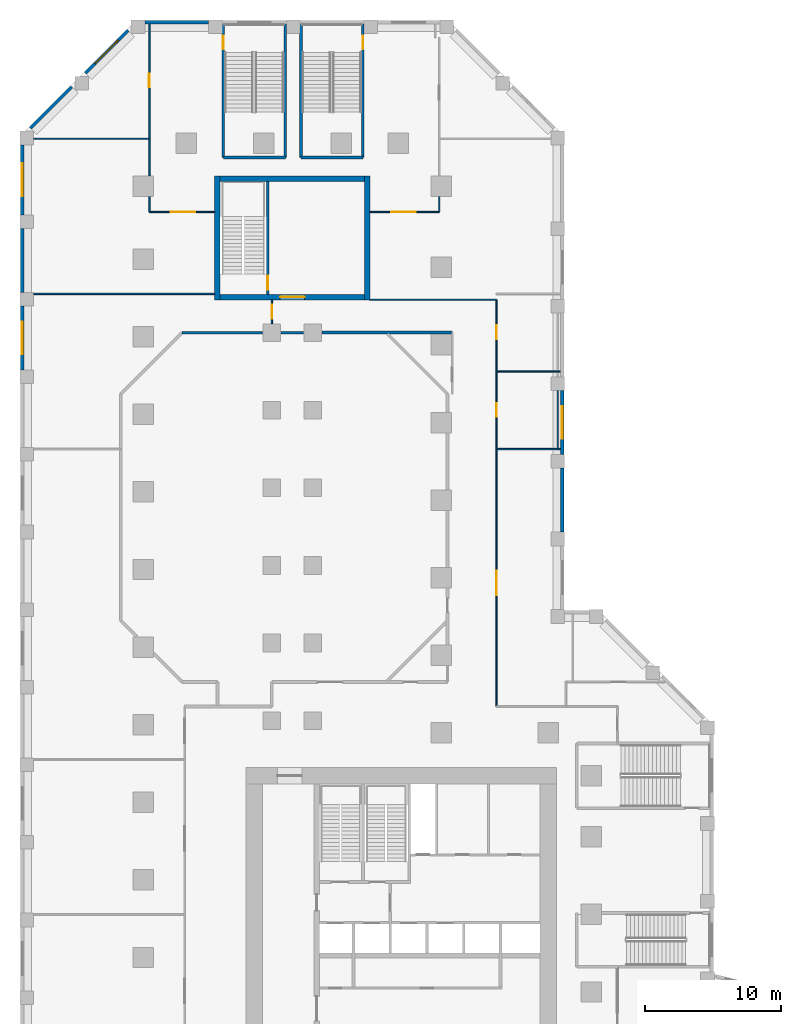
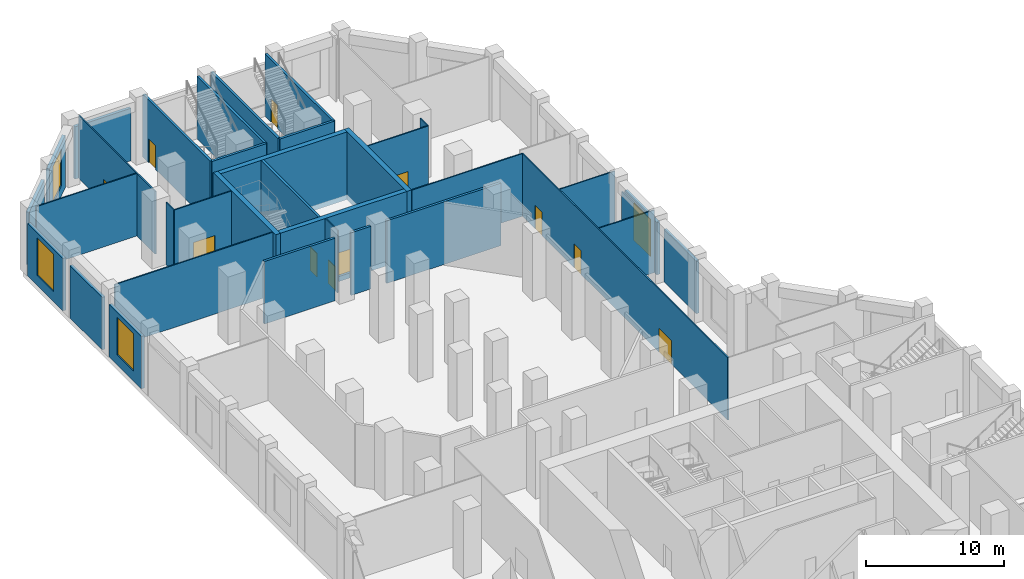
# One storey, part 9 of 15: 35 walls, 11 doors, 4 windows, 15 openings.
"""IFC4 building model written with IfcOpenShell, lengths in metres."""

from ifc_helpers import new_model, si_unit, direction, frame, frame_2d, origin, place, context, subcontext, project, spatial, rectangle, extrude, material, layer, layer_set, type_object, element, fill, save


model = new_model("IFC4")

# Units and contexts
model_context = context("Model", 3, precision=1e-05, world=origin(), true_north=direction((0.0, 1.0)))
body_context = subcontext(model_context, "Body", "Model", "MODEL_VIEW")
ifc_project = project(units=[si_unit("LENGTHUNIT", "METRE"), si_unit("AREAUNIT", "SQUARE_METRE"), si_unit("VOLUMEUNIT", "CUBIC_METRE"), si_unit("PLANEANGLEUNIT", "RADIAN"), si_unit("MASSUNIT", "GRAM", prefix="KILO")], contexts=[model_context])

# Site, building, storey
site_placement = place(None, origin())
site = spatial("IfcSite", under=ifc_project, at=site_placement, CompositionType="ELEMENT")
building_placement = place(site_placement, origin())
building = spatial("IfcBuilding", under=site, at=building_placement, Name="Meshkara Civic Tower", CompositionType="ELEMENT")
storey_placement = place(building_placement, frame((0.0, 0.0, 12.60009765625)))
storey = spatial("IfcBuildingStorey", under=building, at=storey_placement, Name="L02", CompositionType="ELEMENT", Elevation=12.60009765625)

# Wall, opening, door
ifc_material_1 = material(Name="Corridor wall 100")
ifc_layer_1 = layer(ifc_material_1, 0.10009765625)
ifc_layer_set_1 = layer_set([ifc_layer_1], Name="Corridor wall 100")
wall_type_1 = type_object("IfcWallType", Name="Corridor wall 100", PredefinedType="PARTITIONING", material=ifc_layer_set_1)
wall_1_placement = place(storey_placement, frame((0.89990234375, 77.719970703125, 0.0), z_axis=(0.0, 0.0, 1.0), x_axis=(1.0, 0.0, 0.0)))
wall_1 = element("IfcWall", 1, at=wall_1_placement, inside=storey, type_object=wall_type_1, Name="L02-R002", PredefinedType="PARTITIONING", context=body_context, shape_type="SweptSolid", body=[
    extrude(rectangle(XDim=4.800048828125, YDim=0.10009765625, at=frame_2d((2.39990234375, 0.0))), origin(), (0.0, 0.0, 1.0), 5.5498046875),
])
opening_1_placement = place(wall_1_placement, frame((1.580078125, 0.0, 0.0)))
opening_1 = element("IfcOpeningElement", 2, at=opening_1_placement, cuts=wall_1, Name="Opening L02-P037", PredefinedType="OPENING", context=body_context, shape_type="SweptSolid", body=[
    extrude(rectangle(XDim=1.800048828125, YDim=2.10009765625, at=frame_2d((0.89990234375, 1.050048828125))), frame((0.0, 0.06005859375, 0.0), z_axis=(0.0, -1.0, 0.0), x_axis=(1.0, 0.0, 0.0)), (0.0, 0.0, 1.0), 0.1201171875),
])
ifc_material_2 = material(Name="Door pair 1800 x 2100")
door_type_1 = type_object("IfcDoorType", Name="Door pair 1800 x 2100", OperationType="SINGLE_SWING_LEFT", PredefinedType="DOOR", material=ifc_material_2)
door_1_placement = place(opening_1_placement, origin())
door_1 = element("IfcDoor", 3, at=door_1_placement, inside=storey, type_object=door_type_1, Name="L02-P037", OperationType="DOUBLE_DOOR_SINGLE_SWING", OverallHeight=2.10009765625, OverallWidth=1.800048828125, PredefinedType="DOOR", context=body_context, shape_type="SweptSolid", body=[
    extrude(rectangle(XDim=1.800048828125, YDim=2.10009765625, at=frame_2d((0.89990234375, 1.050048828125))), frame((0.0, 0.02490234375, 0.0), z_axis=(0.0, -1.0, 0.0), x_axis=(1.0, 0.0, 0.0)), (0.0, 0.0, 1.0), 0.050048828125),
])
fill(opening_1, door_1)

# Wall
wall_2_placement = place(storey_placement, frame((0.89990234375, 78.843994140625, 0.0), z_axis=(0.0, 0.0, 1.0), x_axis=(0.0, -1.0, 0.0)))
element("IfcWall", 4, at=wall_2_placement, inside=storey, type_object=wall_type_1, Name="L02-R003", PredefinedType="PARTITIONING", context=body_context, shape_type="SweptSolid", body=[
    extrude(rectangle(XDim=1.1240234375, YDim=0.10009765625, at=frame_2d((0.56201171875, 0.0))), origin(), (0.0, 0.0, 1.0), 5.5498046875),
])

# Wall, opening, door
wall_3_placement = place(storey_placement, frame((0.89990234375, 91.52001953125, 0.0), z_axis=(0.0, 0.0, 1.0), x_axis=(0.0, -1.0, 0.0)))
wall_3 = element("IfcWall", 5, at=wall_3_placement, inside=storey, type_object=wall_type_1, Name="L02-R004", PredefinedType="PARTITIONING", context=body_context, shape_type="SweptSolid", body=[
    extrude(rectangle(XDim=11.135986328125, YDim=0.10009765625, at=frame_2d((5.56787109375, 0.0))), origin(), (0.0, 0.0, 1.0), 5.5498046875),
])
opening_2_placement = place(wall_3_placement, frame((3.6298828125, 0.0, 0.0)))
opening_2 = element("IfcOpeningElement", 6, at=opening_2_placement, cuts=wall_3, Name="Opening L02-P039", PredefinedType="OPENING", context=body_context, shape_type="SweptSolid", body=[
    extrude(rectangle(XDim=1.0, YDim=2.10009765625, at=frame_2d((0.5, 1.050048828125))), frame((0.0, 0.06005859375, 0.0), z_axis=(0.0, -1.0, 0.0), x_axis=(1.0, 0.0, 0.0)), (0.0, 0.0, 1.0), 0.1201171875),
])
ifc_material_3 = material(Name="Door 1000 x 2100")
door_type_2 = type_object("IfcDoorType", Name="Door 1000 x 2100", OperationType="SINGLE_SWING_LEFT", PredefinedType="DOOR", material=ifc_material_3)
door_2_placement = place(opening_2_placement, origin())
door_2 = element("IfcDoor", 7, at=door_2_placement, inside=storey, type_object=door_type_2, Name="L02-P039", OperationType="SINGLE_SWING_RIGHT", OverallHeight=2.10009765625, OverallWidth=1.0, PredefinedType="DOOR", context=body_context, shape_type="SweptSolid", body=[
    extrude(rectangle(XDim=1.0, YDim=2.10009765625, at=frame_2d((0.5, 1.050048828125))), frame((0.0, 0.02490234375, 0.0), z_axis=(0.0, -1.0, 0.0), x_axis=(1.0, 0.0, 0.0)), (0.0, 0.0, 1.0), 0.050048828125),
])
fill(opening_2, door_2)

wall_4_placement = place(storey_placement, frame((9.89990234375, 71.27001953125, 0.0), z_axis=(0.0, 0.0, 1.0), x_axis=(0.0, -1.0, 0.0)))
wall_4 = element("IfcWall", 8, at=wall_4_placement, inside=storey, type_object=wall_type_1, Name="L02-R014", PredefinedType="PARTITIONING", context=body_context, shape_type="SweptSolid", body=[
    extrude(rectangle(XDim=1.75, YDim=0.10009765625, at=frame_2d((0.875, 0.0))), origin(), (0.0, 0.0, 1.0), 5.5498046875),
])
opening_3_placement = place(wall_4_placement, frame((0.3798828125, 0.0, 0.0)))
opening_3 = element("IfcOpeningElement", 9, at=opening_3_placement, cuts=wall_4, Name="Opening L02-P035", PredefinedType="OPENING", context=body_context, shape_type="SweptSolid", body=[
    extrude(rectangle(XDim=1.0, YDim=2.10009765625, at=frame_2d((0.5, 1.050048828125))), frame((0.0, 0.06005859375, 0.0), z_axis=(0.0, -1.0, 0.0), x_axis=(1.0, 0.0, 0.0)), (0.0, 0.0, 1.0), 0.1201171875),
])
door_3_placement = place(opening_3_placement, origin())
door_3 = element("IfcDoor", 10, at=door_3_placement, inside=storey, type_object=door_type_2, Name="L02-P035", OperationType="SINGLE_SWING_RIGHT", OverallHeight=2.10009765625, OverallWidth=1.0, PredefinedType="DOOR", context=body_context, shape_type="SweptSolid", body=[
    extrude(rectangle(XDim=1.0, YDim=2.10009765625, at=frame_2d((0.5, 1.050048828125))), frame((0.0, 0.02490234375, 0.0), z_axis=(0.0, -1.0, 0.0), x_axis=(1.0, 0.0, 0.0)), (0.0, 0.0, 1.0), 0.050048828125),
])
fill(opening_3, door_3)

wall_5_placement = place(storey_placement, frame((17.10009765625, 77.719970703125, 0.0), z_axis=(0.0, 0.0, 1.0), x_axis=(1.0, 0.0, 0.0)))
wall_5 = element("IfcWall", 11, at=wall_5_placement, inside=storey, type_object=wall_type_1, Name="L02-R024", PredefinedType="PARTITIONING", context=body_context, shape_type="SweptSolid", body=[
    extrude(rectangle(XDim=5.099853515625, YDim=0.10009765625, at=frame_2d((2.5498046875, 0.0))), origin(), (0.0, 0.0, 1.0), 5.5498046875),
])
opening_4_placement = place(wall_5_placement, frame((1.580078125, 0.0, 0.0)))
opening_4 = element("IfcOpeningElement", 12, at=opening_4_placement, cuts=wall_5, Name="Opening L02-P038", PredefinedType="OPENING", context=body_context, shape_type="SweptSolid", body=[
    extrude(rectangle(XDim=1.800048828125, YDim=2.10009765625, at=frame_2d((0.89990234375, 1.050048828125))), frame((0.0, 0.06005859375, 0.0), z_axis=(0.0, -1.0, 0.0), x_axis=(1.0, 0.0, 0.0)), (0.0, 0.0, 1.0), 0.1201171875),
])
door_4_placement = place(opening_4_placement, origin())
door_4 = element("IfcDoor", 13, at=door_4_placement, inside=storey, type_object=door_type_1, Name="L02-P038", OperationType="DOUBLE_DOOR_SINGLE_SWING", OverallHeight=2.10009765625, OverallWidth=1.800048828125, PredefinedType="DOOR", context=body_context, shape_type="SweptSolid", body=[
    extrude(rectangle(XDim=1.800048828125, YDim=2.10009765625, at=frame_2d((0.89990234375, 1.050048828125))), frame((0.0, 0.02490234375, 0.0), z_axis=(0.0, -1.0, 0.0), x_axis=(1.0, 0.0, 0.0)), (0.0, 0.0, 1.0), 0.050048828125),
])
fill(opening_4, door_4)

# Wall
wall_6_placement = place(storey_placement, frame((22.199951171875, 77.719970703125, 0.0), z_axis=(0.0, 0.0, 1.0), x_axis=(0.0, 1.0, 0.0)))
element("IfcWall", 14, at=wall_6_placement, inside=storey, type_object=wall_type_1, Name="L02-R027", PredefinedType="PARTITIONING", context=body_context, shape_type="SweptSolid", body=[
    extrude(rectangle(XDim=1.1240234375, YDim=0.10009765625, at=frame_2d((0.56201171875, 0.0))), origin(), (0.0, 0.0, 1.0), 5.5498046875),
])

# Wall, openings, doors
wall_7_placement = place(storey_placement, frame((26.39990234375, 41.39990234375, 0.0), z_axis=(0.0, 0.0, 1.0), x_axis=(0.0, 1.0, 0.0)))
wall_7 = element("IfcWall", 15, at=wall_7_placement, inside=storey, type_object=wall_type_1, Name="L02-R036", PredefinedType="PARTITIONING", context=body_context, shape_type="SweptSolid", body=[
    extrude(rectangle(XDim=29.8701171875, YDim=0.10009765625, at=frame_2d((14.93505859375, 0.0))), origin(), (0.0, 0.0, 1.0), 5.5498046875),
])
opening_5_placement = place(wall_7_placement, frame((8.179931640625, 0.0, 0.0)))
opening_5 = element("IfcOpeningElement", 16, at=opening_5_placement, cuts=wall_7, Name="Opening L02-P032", PredefinedType="OPENING", context=body_context, shape_type="SweptSolid", body=[
    extrude(rectangle(XDim=1.800048828125, YDim=2.10009765625, at=frame_2d((0.89990234375, 1.050048828125))), frame((0.0, 0.06005859375, 0.0), z_axis=(0.0, -1.0, 0.0), x_axis=(1.0, 0.0, 0.0)), (0.0, 0.0, 1.0), 0.1201171875),
])
opening_6_placement = place(wall_7_placement, frame((21.280029296875, 0.0, 0.0)))
opening_6 = element("IfcOpeningElement", 17, at=opening_6_placement, cuts=wall_7, Name="Opening L02-P034", PredefinedType="OPENING", context=body_context, shape_type="SweptSolid", body=[
    extrude(rectangle(XDim=1.0, YDim=2.10009765625, at=frame_2d((0.5, 1.050048828125))), frame((0.0, 0.06005859375, 0.0), z_axis=(0.0, -1.0, 0.0), x_axis=(1.0, 0.0, 0.0)), (0.0, 0.0, 1.0), 0.1201171875),
])
opening_7_placement = place(wall_7_placement, frame((26.97998046875, 0.0, 0.0)))
opening_7 = element("IfcOpeningElement", 18, at=opening_7_placement, cuts=wall_7, Name="Opening L02-P036", PredefinedType="OPENING", context=body_context, shape_type="SweptSolid", body=[
    extrude(rectangle(XDim=1.0, YDim=2.10009765625, at=frame_2d((0.5, 1.050048828125))), frame((0.0, 0.06005859375, 0.0), z_axis=(0.0, -1.0, 0.0), x_axis=(1.0, 0.0, 0.0)), (0.0, 0.0, 1.0), 0.1201171875),
])
door_5_placement = place(opening_6_placement, origin())
door_5 = element("IfcDoor", 19, at=door_5_placement, inside=storey, type_object=door_type_2, Name="L02-P034", OperationType="SINGLE_SWING_LEFT", OverallHeight=2.10009765625, OverallWidth=1.0, PredefinedType="DOOR", context=body_context, shape_type="SweptSolid", body=[
    extrude(rectangle(XDim=1.0, YDim=2.10009765625, at=frame_2d((0.5, 1.050048828125))), frame((0.0, 0.02490234375, 0.0), z_axis=(0.0, -1.0, 0.0), x_axis=(1.0, 0.0, 0.0)), (0.0, 0.0, 1.0), 0.050048828125),
])
fill(opening_6, door_5)
door_6_placement = place(opening_7_placement, origin())
door_6 = element("IfcDoor", 20, at=door_6_placement, inside=storey, type_object=door_type_2, Name="L02-P036", OperationType="SINGLE_SWING_RIGHT", OverallHeight=2.10009765625, OverallWidth=1.0, PredefinedType="DOOR", context=body_context, shape_type="SweptSolid", body=[
    extrude(rectangle(XDim=1.0, YDim=2.10009765625, at=frame_2d((0.5, 1.050048828125))), frame((0.0, 0.02490234375, 0.0), z_axis=(0.0, -1.0, 0.0), x_axis=(1.0, 0.0, 0.0)), (0.0, 0.0, 1.0), 0.050048828125),
])
fill(opening_7, door_6)
door_7_placement = place(opening_5_placement, origin())
door_7 = element("IfcDoor", 21, at=door_7_placement, inside=storey, type_object=door_type_1, Name="L02-P032", OperationType="DOUBLE_DOOR_SINGLE_SWING", OverallHeight=2.10009765625, OverallWidth=1.800048828125, PredefinedType="DOOR", context=body_context, shape_type="SweptSolid", body=[
    extrude(rectangle(XDim=1.800048828125, YDim=2.10009765625, at=frame_2d((0.89990234375, 1.050048828125))), frame((0.0, 0.02490234375, 0.0), z_axis=(0.0, -1.0, 0.0), x_axis=(1.0, 0.0, 0.0)), (0.0, 0.0, 1.0), 0.050048828125),
])
fill(opening_5, door_7)

# Walls
wall_8_placement = place(storey_placement, frame((26.39990234375, 71.27001953125, 0.0), z_axis=(0.0, 0.0, 1.0), x_axis=(-1.0, 0.0, 0.0)))
element("IfcWall", 22, at=wall_8_placement, inside=storey, type_object=wall_type_1, Name="L02-R038", PredefinedType="PARTITIONING", context=body_context, shape_type="SweptSolid", body=[
    extrude(rectangle(XDim=9.2998046875, YDim=0.10009765625, at=frame_2d((4.64990234375, 0.0))), origin(), (0.0, 0.0, 1.0), 5.5498046875),
])
ifc_material_4 = material(Name="Concrete C80", Category="concrete")
ifc_layer_2 = layer(ifc_material_4, 0.39990234375)
ifc_layer_set_2 = layer_set([ifc_layer_2], Name="End core ring wall 400 C80")
wall_type_2 = type_object("IfcWallType", Name="End core ring wall 400 C80", PredefinedType="SHEAR", material=ifc_layer_set_2)
for number, where, z_axis, x_axis, name in (
    (23, (5.89990234375, 71.27001953125, -0.4501953125), (0.0, 0.0, 1.0), (0.0, 1.0, 0.0), "L02-C026"),
    (24, (16.89990234375, 71.27001953125, -0.4501953125), (0.0, 0.0, 1.0), (0.0, 1.0, 0.0), "L02-C027"),
):
    element("IfcWall", number, at=place(storey_placement, frame(where, z_axis=z_axis, x_axis=x_axis)), inside=storey, type_object=wall_type_2, Name=name, PredefinedType="SHEAR", context=body_context, shape_type="SweptSolid", body=[
        extrude(rectangle(XDim=9.10009765625, YDim=0.39990234375, at=frame_2d((4.550048828125, 0.0))), origin(), (0.0, 0.0, 1.0), 6.0),
    ])

# Wall, opening, door
wall_9_placement = place(storey_placement, frame((6.10009765625, 71.469970703125, -0.4501953125), z_axis=(0.0, 0.0, 1.0), x_axis=(1.0, 0.0, 0.0)))
wall_9 = element("IfcWall", 25, at=wall_9_placement, inside=storey, type_object=wall_type_2, Name="L02-C028", PredefinedType="SHEAR", context=body_context, shape_type="SweptSolid", body=[
    extrude(rectangle(XDim=10.599853515625, YDim=0.39990234375, at=frame_2d((5.2998046875, 0.0))), origin(), (0.0, 0.0, 1.0), 6.0),
])
opening_8_placement = place(wall_9_placement, frame((4.39990234375, 0.0, 0.449951171875)))
opening_8 = element("IfcOpeningElement", 26, at=opening_8_placement, cuts=wall_9, Name="Opening L02-K102", PredefinedType="OPENING", context=body_context, shape_type="SweptSolid", body=[
    extrude(rectangle(XDim=1.800048828125, YDim=2.10009765625, at=frame_2d((0.89990234375, 1.050048828125))), frame((0.0, 0.2099609375, 0.0), z_axis=(0.0, -1.0, 0.0), x_axis=(1.0, 0.0, 0.0)), (0.0, 0.0, 1.0), 0.419921875),
])
ifc_material_5 = material(Name="Fire-rated door leaf in steel frame", Category="steel")
door_type_3 = type_object("IfcDoorType", Name="Core double door 1800 EI 60", OperationType="DOUBLE_DOOR_SINGLE_SWING", PredefinedType="DOOR", material=ifc_material_5)
door_8_placement = place(opening_8_placement, origin())
door_8 = element("IfcDoor", 27, at=door_8_placement, inside=storey, type_object=door_type_3, Name="L02-K102", OperationType="DOUBLE_DOOR_SINGLE_SWING", OverallHeight=2.10009765625, OverallWidth=1.800048828125, PredefinedType="DOOR", context=body_context, shape_type="SweptSolid", body=[
    extrude(rectangle(XDim=1.800048828125, YDim=2.10009765625, at=frame_2d((0.89990234375, 1.050048828125))), frame((0.0, 0.02490234375, 0.0), z_axis=(0.0, -1.0, 0.0), x_axis=(1.0, 0.0, 0.0)), (0.0, 0.0, 1.0), 0.050048828125),
])
fill(opening_8, door_8)

# Walls
wall_10_placement = place(storey_placement, frame((6.10009765625, 80.169921875, -0.4501953125), z_axis=(0.0, 0.0, 1.0), x_axis=(1.0, 0.0, 0.0)))
element("IfcWall", 28, at=wall_10_placement, inside=storey, type_object=wall_type_2, Name="L02-C029", PredefinedType="SHEAR", context=body_context, shape_type="SweptSolid", body=[
    extrude(rectangle(XDim=10.599853515625, YDim=0.39990234375, at=frame_2d((5.2998046875, 0.0))), origin(), (0.0, 0.0, 1.0), 6.0),
])
ifc_material_6 = material(Name="Fire-rated wall 200")
ifc_layer_3 = layer(ifc_material_6, 0.199951171875)
ifc_layer_set_3 = layer_set([ifc_layer_3], Name="Fire-rated wall 200")
wall_type_3 = type_object("IfcWallType", Name="Fire-rated wall 200", PredefinedType="PARTITIONING", material=ifc_layer_set_3)
wall_11_placement = place(storey_placement, frame((10.570068359375, 68.85009765625, 0.0), z_axis=(0.0, 0.0, 1.0), x_axis=(1.0, 0.0, 0.0)))
element("IfcWall", 29, at=wall_11_placement, inside=storey, type_object=wall_type_3, Name="L02-R015", PredefinedType="PARTITIONING", context=body_context, shape_type="SweptSolid", body=[
    extrude(rectangle(XDim=1.659912109375, YDim=0.199951171875, at=frame_2d((0.830078125, 0.0))), origin(), (0.0, 0.0, 1.0), 5.5498046875),
])
wall_12_placement = place(storey_placement, frame((13.570068359375, 68.8701171875, 0.0), z_axis=(0.0, 0.0, 1.0), x_axis=(1.0, 0.0, 0.0)))
element("IfcWall", 30, at=wall_12_placement, inside=storey, type_object=wall_type_3, Name="L02-R021", PredefinedType="PARTITIONING", context=body_context, shape_type="SweptSolid", body=[
    extrude(rectangle(XDim=9.579833984375, YDim=0.199951171875, at=frame_2d((4.7900390625, 0.0))), origin(), (0.0, 0.0, 1.0), 5.5498046875),
])
wall_13_placement = place(storey_placement, frame((9.22998046875, 68.85009765625, 0.0), z_axis=(0.0, 0.0, 1.0), x_axis=(-1.0, 0.0, 0.0)))
element("IfcWall", 31, at=wall_13_placement, inside=storey, type_object=wall_type_3, Name="L02-R090", PredefinedType="PARTITIONING", context=body_context, shape_type="SweptSolid", body=[
    extrude(rectangle(XDim=5.929931640625, YDim=0.199951171875, at=frame_2d((2.96484375, 0.0))), origin(), (0.0, 0.0, 1.0), 5.5498046875),
])
ifc_material_7 = material(Name="Stone cladding on insulated backing wall", Category="masonry")
ifc_layer_4 = layer(ifc_material_7, 0.25)
ifc_layer_set_4 = layer_set([ifc_layer_4], Name="PODIUM STONE WALL 250")
wall_type_4 = type_object("IfcWallType", Name="PODIUM STONE WALL 250", PredefinedType="SOLIDWALL", material=ifc_layer_set_4)
wall_14_placement = place(storey_placement, frame((5.263916015625, 91.64501953125, 0.0), z_axis=(0.0, 0.0, 1.0), x_axis=(-1.0, 0.0, 0.0)))
element("IfcWall", 32, at=wall_14_placement, inside=storey, type_object=wall_type_4, Name="Podium external wall", PredefinedType="SOLIDWALL", context=body_context, shape_type="SweptSolid", body=[
    extrude(rectangle(XDim=4.699951171875, YDim=0.25, at=frame_2d((2.35009765625, 0.0))), origin(), (0.0, 0.0, 1.0), 4.64990234375),
])

# Wall, opening, window
wall_15_placement = place(storey_placement, frame((-0.666015625, 91.050048828125, 0.0), z_axis=(0.0, 0.0, 1.0), x_axis=(-0.707106781187, -0.707106781187, 0.0)))
wall_15 = element("IfcWall", 33, at=wall_15_placement, inside=storey, type_object=wall_type_4, Name="Podium external wall", PredefinedType="SOLIDWALL", context=body_context, shape_type="SweptSolid", body=[
    extrude(rectangle(XDim=4.430908203125, YDim=0.25, at=frame_2d((2.21533203125, 0.0))), origin(), (0.0, 0.0, 1.0), 4.64990234375),
])
opening_9_placement = place(wall_15_placement, frame((1.014892578125, 0.0, 0.89990234375)))
opening_9 = element("IfcOpeningElement", 34, at=opening_9_placement, cuts=wall_15, Name="Opening PW7", PredefinedType="OPENING", context=body_context, shape_type="SweptSolid", body=[
    extrude(rectangle(XDim=2.39990234375, YDim=3.300048828125, at=frame_2d((1.199951171875, 1.64990234375))), frame((0.0, 0.135009765625, 0.0), z_axis=(0.0, -1.0, 0.0), x_axis=(1.0, 0.0, 0.0)), (0.0, 0.0, 1.0), 0.27001953125),
])
ifc_material_8 = material(Name="Tinted double glazing", Category="glass")
window_type = type_object("IfcWindowType", Name="PODIUM WINDOW 2400x3300", PartitioningType="DOUBLE_PANEL_VERTICAL", PredefinedType="WINDOW", material=ifc_material_8)
window_1_placement = place(opening_9_placement, origin())
window_1 = element("IfcWindow", 35, at=window_1_placement, inside=storey, type_object=window_type, Name="Podium window", OverallHeight=3.300048828125, OverallWidth=2.39990234375, PartitioningType="DOUBLE_PANEL_VERTICAL", PredefinedType="WINDOW", context=body_context, shape_type="SweptSolid", body=[
    extrude(rectangle(XDim=2.39990234375, YDim=3.300048828125, at=frame_2d((1.199951171875, 1.64990234375))), frame((0.0, 0.030029296875, 0.0), z_axis=(0.0, -1.0, 0.0), x_axis=(1.0, 0.0, 0.0)), (0.0, 0.0, 1.0), 0.06005859375),
])
fill(opening_9, window_1)

# Wall
wall_16_placement = place(storey_placement, frame((-4.799072265625, 86.9169921875, 0.0), z_axis=(0.0, 0.0, 1.0), x_axis=(-0.707106781187, -0.707106781187, 0.0)))
element("IfcWall", 36, at=wall_16_placement, inside=storey, type_object=wall_type_4, Name="Podium external wall", PredefinedType="SOLIDWALL", context=body_context, shape_type="SweptSolid", body=[
    extrude(rectangle(XDim=4.286376953125, YDim=0.25, at=frame_2d((2.14306640625, 0.0))), origin(), (0.0, 0.0, 1.0), 4.64990234375),
])

# Wall, opening, window
wall_17_placement = place(storey_placement, frame((-8.425048828125, 82.656005859375, 0.0), z_axis=(0.0, 0.0, 1.0), x_axis=(0.0, -1.0, 0.0)))
wall_17 = element("IfcWall", 37, at=wall_17_placement, inside=storey, type_object=wall_type_4, Name="Podium external wall", PredefinedType="SOLIDWALL", context=body_context, shape_type="SweptSolid", body=[
    extrude(rectangle(XDim=5.14501953125, YDim=0.25, at=frame_2d((2.572509765625, 0.0))), origin(), (0.0, 0.0, 1.0), 4.64990234375),
])
opening_10_placement = place(wall_17_placement, frame((1.373046875, 0.0, 0.89990234375)))
opening_10 = element("IfcOpeningElement", 38, at=opening_10_placement, cuts=wall_17, Name="Opening PW7", PredefinedType="OPENING", context=body_context, shape_type="SweptSolid", body=[
    extrude(rectangle(XDim=2.39990234375, YDim=3.300048828125, at=frame_2d((1.199951171875, 1.64990234375))), frame((0.0, 0.135009765625, 0.0), z_axis=(0.0, -1.0, 0.0), x_axis=(1.0, 0.0, 0.0)), (0.0, 0.0, 1.0), 0.27001953125),
])
window_2_placement = place(opening_10_placement, origin())
window_2 = element("IfcWindow", 39, at=window_2_placement, inside=storey, type_object=window_type, Name="Podium window", OverallHeight=3.300048828125, OverallWidth=2.39990234375, PartitioningType="DOUBLE_PANEL_VERTICAL", PredefinedType="WINDOW", context=body_context, shape_type="SweptSolid", body=[
    extrude(rectangle(XDim=2.39990234375, YDim=3.300048828125, at=frame_2d((1.199951171875, 1.64990234375))), frame((0.0, 0.030029296875, 0.0), z_axis=(0.0, -1.0, 0.0), x_axis=(1.0, 0.0, 0.0)), (0.0, 0.0, 1.0), 0.06005859375),
])
fill(opening_10, window_2)

# Wall
wall_18_placement = place(storey_placement, frame((-8.425048828125, 76.510986328125, 0.0), z_axis=(0.0, 0.0, 1.0), x_axis=(0.0, -1.0, 0.0)))
element("IfcWall", 40, at=wall_18_placement, inside=storey, type_object=wall_type_4, Name="Podium external wall", PredefinedType="SOLIDWALL", context=body_context, shape_type="SweptSolid", body=[
    extrude(rectangle(XDim=4.699951171875, YDim=0.25, at=frame_2d((2.35009765625, 0.0))), origin(), (0.0, 0.0, 1.0), 4.64990234375),
])

# Wall, opening, window
wall_19_placement = place(storey_placement, frame((-8.425048828125, 70.81103515625, 0.0), z_axis=(0.0, 0.0, 1.0), x_axis=(0.0, -1.0, 0.0)))
wall_19 = element("IfcWall", 41, at=wall_19_placement, inside=storey, type_object=wall_type_4, Name="Podium external wall", PredefinedType="SOLIDWALL", context=body_context, shape_type="SweptSolid", body=[
    extrude(rectangle(XDim=4.699951171875, YDim=0.25, at=frame_2d((2.35009765625, 0.0))), origin(), (0.0, 0.0, 1.0), 4.64990234375),
])
opening_11_placement = place(wall_19_placement, frame((1.14990234375, 0.0, 0.89990234375)))
opening_11 = element("IfcOpeningElement", 42, at=opening_11_placement, cuts=wall_19, Name="Opening PW7", PredefinedType="OPENING", context=body_context, shape_type="SweptSolid", body=[
    extrude(rectangle(XDim=2.39990234375, YDim=3.300048828125, at=frame_2d((1.199951171875, 1.64990234375))), frame((0.0, 0.135009765625, 0.0), z_axis=(0.0, -1.0, 0.0), x_axis=(1.0, 0.0, 0.0)), (0.0, 0.0, 1.0), 0.27001953125),
])
window_3_placement = place(opening_11_placement, origin())
window_3 = element("IfcWindow", 43, at=window_3_placement, inside=storey, type_object=window_type, Name="Podium window", OverallHeight=3.300048828125, OverallWidth=2.39990234375, PartitioningType="DOUBLE_PANEL_VERTICAL", PredefinedType="WINDOW", context=body_context, shape_type="SweptSolid", body=[
    extrude(rectangle(XDim=2.39990234375, YDim=3.300048828125, at=frame_2d((1.199951171875, 1.64990234375))), frame((0.0, 0.030029296875, 0.0), z_axis=(0.0, -1.0, 0.0), x_axis=(1.0, 0.0, 0.0)), (0.0, 0.0, 1.0), 0.06005859375),
])
fill(opening_11, window_3)

# Wall
wall_20_placement = place(storey_placement, frame((31.22509765625, 54.199951171875, 0.0), z_axis=(0.0, 0.0, 1.0), x_axis=(0.0, 1.0, 0.0)))
element("IfcWall", 44, at=wall_20_placement, inside=storey, type_object=wall_type_4, Name="Podium external wall", PredefinedType="SOLIDWALL", context=body_context, shape_type="SweptSolid", body=[
    extrude(rectangle(XDim=4.699951171875, YDim=0.25, at=frame_2d((2.35009765625, 0.0))), origin(), (0.0, 0.0, 1.0), 4.64990234375),
])

# Wall, opening, window
wall_21_placement = place(storey_placement, frame((31.22509765625, 59.89990234375, 0.0), z_axis=(0.0, 0.0, 1.0), x_axis=(0.0, 1.0, 0.0)))
wall_21 = element("IfcWall", 45, at=wall_21_placement, inside=storey, type_object=wall_type_4, Name="Podium external wall", PredefinedType="SOLIDWALL", context=body_context, shape_type="SweptSolid", body=[
    extrude(rectangle(XDim=4.7001953125, YDim=0.25, at=frame_2d((2.35009765625, 0.0))), origin(), (0.0, 0.0, 1.0), 4.64990234375),
])
opening_12_placement = place(wall_21_placement, frame((1.14990234375, 0.0, 0.89990234375)))
opening_12 = element("IfcOpeningElement", 46, at=opening_12_placement, cuts=wall_21, Name="Opening PW7", PredefinedType="OPENING", context=body_context, shape_type="SweptSolid", body=[
    extrude(rectangle(XDim=2.39990234375, YDim=3.300048828125, at=frame_2d((1.199951171875, 1.64990234375))), frame((0.0, 0.135009765625, 0.0), z_axis=(0.0, -1.0, 0.0), x_axis=(1.0, 0.0, 0.0)), (0.0, 0.0, 1.0), 0.27001953125),
])
window_4_placement = place(opening_12_placement, origin())
window_4 = element("IfcWindow", 47, at=window_4_placement, inside=storey, type_object=window_type, Name="Podium window", OverallHeight=3.300048828125, OverallWidth=2.39990234375, PartitioningType="DOUBLE_PANEL_VERTICAL", PredefinedType="WINDOW", context=body_context, shape_type="SweptSolid", body=[
    extrude(rectangle(XDim=2.39990234375, YDim=3.300048828125, at=frame_2d((1.199951171875, 1.64990234375))), frame((0.0, 0.030029296875, 0.0), z_axis=(0.0, -1.0, 0.0), x_axis=(1.0, 0.0, 0.0)), (0.0, 0.0, 1.0), 0.06005859375),
])
fill(opening_12, window_4)

# Walls
ifc_material_9 = material(Name="Partition 100")
ifc_layer_5 = layer(ifc_material_9, 0.10009765625)
ifc_layer_set_5 = layer_set([ifc_layer_5], Name="Partition 100")
wall_type_5 = type_object("IfcWallType", Name="Partition 100", PredefinedType="PARTITIONING", material=ifc_layer_set_5)
wall_22_placement = place(storey_placement, frame((0.85009765625, 83.10009765625, 0.0), z_axis=(0.0, 0.0, 1.0), x_axis=(-1.0, 0.0, 0.0)))
element("IfcWall", 48, at=wall_22_placement, inside=storey, type_object=wall_type_5, Name="L02-R082", PredefinedType="PARTITIONING", context=body_context, shape_type="SweptSolid", body=[
    extrude(rectangle(XDim=8.43017578125, YDim=0.10009765625, at=frame_2d((4.215087890625, 0.0))), origin(), (0.0, 0.0, 1.0), 5.5498046875),
])
wall_23_placement = place(storey_placement, frame((5.699951171875, 71.699951171875, 0.0), z_axis=(0.0, 0.0, 1.0), x_axis=(-1.0, 0.0, 0.0)))
element("IfcWall", 49, at=wall_23_placement, inside=storey, type_object=wall_type_5, Name="L02-R088", PredefinedType="PARTITIONING", context=body_context, shape_type="SweptSolid", body=[
    extrude(rectangle(XDim=13.280029296875, YDim=0.10009765625, at=frame_2d((6.64013671875, 0.0))), origin(), (0.0, 0.0, 1.0), 5.5498046875),
])
for number, where, z_axis, x_axis, name in (
    (50, (31.10009765625, 66.0, 0.0), (0.0, 0.0, 1.0), (-1.0, 0.0, 0.0), "L02-R096"),
    (51, (31.10009765625, 60.300048828125, 0.0), (0.0, 0.0, 1.0), (-1.0, 0.0, 0.0), "L02-R097"),
):
    element("IfcWall", number, at=place(storey_placement, frame(where, z_axis=z_axis, x_axis=x_axis)), inside=storey, type_object=wall_type_5, Name=name, PredefinedType="PARTITIONING", context=body_context, shape_type="SweptSolid", body=[
        extrude(rectangle(XDim=4.650146484375, YDim=0.10009765625, at=frame_2d((2.3251953125, 0.0))), origin(), (0.0, 0.0, 1.0), 5.5498046875),
    ])
wall_24_placement = place(storey_placement, frame((30.89990234375, 60.300048828125, 0.0), z_axis=(0.0, 0.0, 1.0), x_axis=(0.0, 1.0, 0.0)))
element("IfcWall", 52, at=wall_24_placement, inside=storey, type_object=wall_type_5, Name="L02-R098", PredefinedType="PARTITIONING", context=body_context, shape_type="SweptSolid", body=[
    extrude(rectangle(XDim=4.280029296875, YDim=0.10009765625, at=frame_2d((2.14013671875, 0.0))), origin(), (0.0, 0.0, 1.0), 4.64990234375),
])

# Wall, opening, door
ifc_material_10 = material(Name="Concrete C40/50", Category="concrete")
ifc_layer_6 = layer(ifc_material_10, 0.199951171875)
ifc_layer_set_6 = layer_set([ifc_layer_6], Name="Stair enclosure wall 200 C40/50")
wall_type_6 = type_object("IfcWallType", Name="Stair enclosure wall 200 C40/50", PredefinedType="SOLIDWALL", material=ifc_layer_set_6)
wall_25_placement = place(storey_placement, frame((9.60009765625, 71.669921875, 0.0), z_axis=(0.0, 0.0, 1.0), x_axis=(0.0, 1.0, 0.0)))
wall_25 = element("IfcWall", 53, at=wall_25_placement, inside=storey, type_object=wall_type_6, Name="L02-C030", PredefinedType="SOLIDWALL", context=body_context, shape_type="SweptSolid", body=[
    extrude(rectangle(XDim=8.300048828125, YDim=0.199951171875, at=frame_2d((4.14990234375, 0.0))), origin(), (0.0, 0.0, 1.0), 5.5498046875),
])
opening_13_placement = place(wall_25_placement, frame((0.35009765625, 0.0, 0.0)))
opening_13 = element("IfcOpeningElement", 54, at=opening_13_placement, cuts=wall_25, Name="Opening L02-K101", PredefinedType="OPENING", context=body_context, shape_type="SweptSolid", body=[
    extrude(rectangle(XDim=1.0, YDim=2.10009765625, at=frame_2d((0.5, 1.050048828125))), frame((0.0, 0.10986328125, 0.0), z_axis=(0.0, -1.0, 0.0), x_axis=(1.0, 0.0, 0.0)), (0.0, 0.0, 1.0), 0.219970703125),
])
ifc_material_11 = material(Name="Fire-rated door leaf in steel frame", Category="steel")
door_type_4 = type_object("IfcDoorType", Name="Stair door 1000 EI 120", OperationType="SINGLE_SWING_LEFT", PredefinedType="DOOR", material=ifc_material_11)
door_9_placement = place(opening_13_placement, origin())
door_9 = element("IfcDoor", 55, at=door_9_placement, inside=storey, type_object=door_type_4, Name="L02-K101", OperationType="SINGLE_SWING_RIGHT", OverallHeight=2.10009765625, OverallWidth=1.0, PredefinedType="DOOR", context=body_context, shape_type="SweptSolid", body=[
    extrude(rectangle(XDim=1.0, YDim=2.10009765625, at=frame_2d((0.5, 1.050048828125))), frame((0.0, 0.02490234375, 0.0), z_axis=(0.0, -1.0, 0.0), x_axis=(1.0, 0.0, 0.0)), (0.0, 0.0, 1.0), 0.050048828125),
])
fill(opening_13, door_9)

wall_26_placement = place(storey_placement, frame((6.3349609375, 81.719970703125, 0.0), z_axis=(0.0, 0.0, 1.0), x_axis=(0.0, 1.0, 0.0)))
wall_26 = element("IfcWall", 56, at=wall_26_placement, inside=storey, type_object=wall_type_6, Name="L02-R010", PredefinedType="SOLIDWALL", context=body_context, shape_type="SweptSolid", body=[
    extrude(rectangle(XDim=9.800048828125, YDim=0.199951171875, at=frame_2d((4.89990234375, 0.0))), origin(), (0.0, 0.0, 1.0), 5.5498046875),
])
opening_14_placement = place(wall_26_placement, frame((7.949951171875, 0.0, 0.0)))
opening_14 = element("IfcOpeningElement", 57, at=opening_14_placement, cuts=wall_26, Name="Opening L02-P041", PredefinedType="OPENING", context=body_context, shape_type="SweptSolid", body=[
    extrude(rectangle(XDim=1.0, YDim=2.10009765625, at=frame_2d((0.5, 1.050048828125))), frame((0.0, 0.10986328125, 0.0), z_axis=(0.0, -1.0, 0.0), x_axis=(1.0, 0.0, 0.0)), (0.0, 0.0, 1.0), 0.219970703125),
])
door_10_placement = place(opening_14_placement, origin())
door_10 = element("IfcDoor", 58, at=door_10_placement, inside=storey, type_object=door_type_2, Name="L02-P041", OperationType="SINGLE_SWING_LEFT", OverallHeight=2.10009765625, OverallWidth=1.0, PredefinedType="DOOR", context=body_context, shape_type="SweptSolid", body=[
    extrude(rectangle(XDim=1.0, YDim=2.10009765625, at=frame_2d((0.5, 1.050048828125))), frame((0.0, 0.02490234375, 0.0), z_axis=(0.0, -1.0, 0.0), x_axis=(1.0, 0.0, 0.0)), (0.0, 0.0, 1.0), 0.050048828125),
])
fill(opening_14, door_10)

# Walls
wall_27_placement = place(storey_placement, frame((10.885009765625, 81.719970703125, 0.0), z_axis=(0.0, 0.0, 1.0), x_axis=(-1.0, 0.0, 0.0)))
element("IfcWall", 59, at=wall_27_placement, inside=storey, type_object=wall_type_6, Name="L02-R017", PredefinedType="SOLIDWALL", context=body_context, shape_type="SweptSolid", body=[
    extrude(rectangle(XDim=4.550048828125, YDim=0.199951171875, at=frame_2d((2.27490234375, 0.0))), origin(), (0.0, 0.0, 1.0), 5.5498046875),
])
for number, where, z_axis, x_axis, name in (
    (60, (10.885009765625, 91.52001953125, 0.0), (0.0, 0.0, 1.0), (0.0, -1.0, 0.0), "L02-R018"),
    (61, (12.034912109375, 81.719970703125, 0.0), (0.0, 0.0, 1.0), (0.0, 1.0, 0.0), "L02-R020"),
):
    element("IfcWall", number, at=place(storey_placement, frame(where, z_axis=z_axis, x_axis=x_axis)), inside=storey, type_object=wall_type_6, Name=name, PredefinedType="SOLIDWALL", context=body_context, shape_type="SweptSolid", body=[
        extrude(rectangle(XDim=9.800048828125, YDim=0.199951171875, at=frame_2d((4.89990234375, 0.0))), origin(), (0.0, 0.0, 1.0), 5.5498046875),
    ])
wall_28_placement = place(storey_placement, frame((16.5849609375, 81.719970703125, 0.0), z_axis=(0.0, 0.0, 1.0), x_axis=(-1.0, 0.0, 0.0)))
element("IfcWall", 62, at=wall_28_placement, inside=storey, type_object=wall_type_6, Name="L02-R022", PredefinedType="SOLIDWALL", context=body_context, shape_type="SweptSolid", body=[
    extrude(rectangle(XDim=4.550048828125, YDim=0.199951171875, at=frame_2d((2.27490234375, 0.0))), origin(), (0.0, 0.0, 1.0), 5.5498046875),
])

# Wall, opening, door
wall_29_placement = place(storey_placement, frame((16.5849609375, 91.52001953125, 0.0), z_axis=(0.0, 0.0, 1.0), x_axis=(0.0, -1.0, 0.0)))
wall_29 = element("IfcWall", 63, at=wall_29_placement, inside=storey, type_object=wall_type_6, Name="L02-R023", PredefinedType="SOLIDWALL", context=body_context, shape_type="SweptSolid", body=[
    extrude(rectangle(XDim=9.800048828125, YDim=0.199951171875, at=frame_2d((4.89990234375, 0.0))), origin(), (0.0, 0.0, 1.0), 5.5498046875),
])
opening_15_placement = place(wall_29_placement, frame((0.85009765625, 0.0, 0.0)))
opening_15 = element("IfcOpeningElement", 64, at=opening_15_placement, cuts=wall_29, Name="Opening L02-P042", PredefinedType="OPENING", context=body_context, shape_type="SweptSolid", body=[
    extrude(rectangle(XDim=1.0, YDim=2.10009765625, at=frame_2d((0.5, 1.050048828125))), frame((0.0, 0.10986328125, 0.0), z_axis=(0.0, -1.0, 0.0), x_axis=(1.0, 0.0, 0.0)), (0.0, 0.0, 1.0), 0.219970703125),
])
door_11_placement = place(opening_15_placement, origin())
door_11 = element("IfcDoor", 65, at=door_11_placement, inside=storey, type_object=door_type_2, Name="L02-P042", OperationType="SINGLE_SWING_LEFT", OverallHeight=2.10009765625, OverallWidth=1.0, PredefinedType="DOOR", context=body_context, shape_type="SweptSolid", body=[
    extrude(rectangle(XDim=1.0, YDim=2.10009765625, at=frame_2d((0.5, 1.050048828125))), frame((0.0, 0.02490234375, 0.0), z_axis=(0.0, -1.0, 0.0), x_axis=(1.0, 0.0, 0.0)), (0.0, 0.0, 1.0), 0.050048828125),
])
fill(opening_15, door_11)

save(model, "model.ifc")
